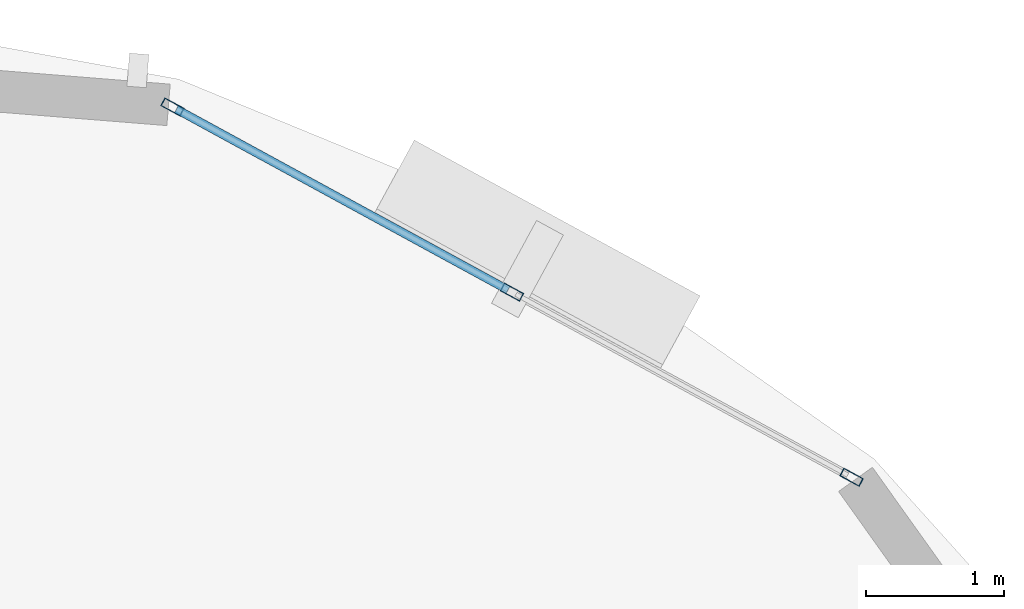
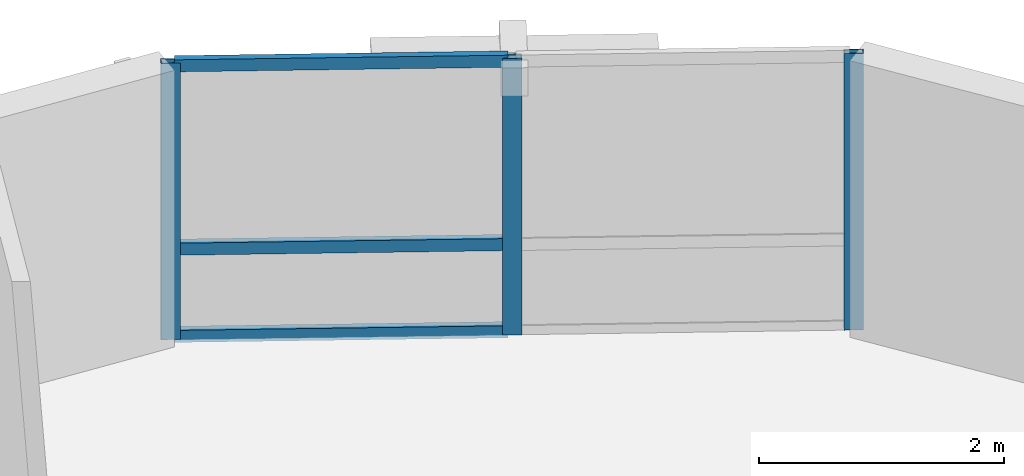
# One storey, part 5 of 11: 6 members, 1 element without a shape of its own.
"""IFC4 building model written with IfcOpenShell, lengths in metres."""

from ifc_helpers import new_model, si_unit, direction, frame, origin, origin_2d, place, context, subcontext, project, spatial, hollow_rectangle, extrude, material, layer, layer_set, material_profile, profile_set, type_object, element, aggregate, save


model = new_model("IFC4")

# Units and contexts
model_context = context("Model", 3, precision=1e-05, world=origin(), true_north=direction((0.0, 1.0)))
body_context = subcontext(model_context, "Body", "Model", "MODEL_VIEW")
ifc_project = project(units=[si_unit("LENGTHUNIT", "METRE"), si_unit("AREAUNIT", "SQUARE_METRE"), si_unit("VOLUMEUNIT", "CUBIC_METRE"), si_unit("PLANEANGLEUNIT", "RADIAN"), si_unit("MASSUNIT", "GRAM", prefix="KILO"), si_unit("THERMODYNAMICTEMPERATUREUNIT", "KELVIN"), si_unit("POWERUNIT", "WATT")], contexts=[model_context])

# Site, building, storey
site_placement = place(None, origin())
site = spatial("IfcSite", under=ifc_project, at=site_placement, CompositionType="ELEMENT")
building_placement = place(site_placement, origin())
building = spatial("IfcBuilding", under=site, at=building_placement, Name="Ocrelia Relay Tower", CompositionType="ELEMENT")
storey_placement = place(building_placement, frame((0.0, 0.0, 234.0)))
storey = spatial("IfcBuildingStorey", under=building, at=storey_placement, Name="L57", CompositionType="ELEMENT", Elevation=234.0)

# Curtain wall, members
ifc_material_1 = material(Name="Aluminium and solar-control low-E glass", Category="aluminium")
ifc_layer = layer(ifc_material_1, 0.179931640625, Name="Aluminium and solar-control low-E glass")
ifc_layer_set = layer_set([ifc_layer], Name="Aluminium and solar-control low-E glass")
curtain_wall_type = type_object("IfcCurtainWallType", Name="CW-SYS-Z4-EXEC", PredefinedType="NOTDEFINED", material=ifc_layer_set)
curtain_wall_placement = place(storey_placement, origin())
curtain_wall = element("IfcCurtainWall", 1, at=curtain_wall_placement, inside=storey, type_object=curtain_wall_type, Name="L57 Elliptical Tower Curtain Wall Bay 01", PredefinedType="NOTDEFINED")
ifc_material_2 = material(Name="Anodised bronze aluminium", Category="aluminium")
ifc_material_profile_1 = material_profile(ifc_material_2, hollow_rectangle(XDim=0.06494140625, YDim=0.159912109375, WallThickness=0.0048828125, at=origin_2d()), Name="CW-MUL-160x65")
ifc_profile_set_1 = profile_set([ifc_material_profile_1], Name="Anodised bronze aluminium")
member_type_1 = type_object("IfcMemberType", Name="CW-SYS-Z4-EXEC-MUL", PredefinedType="MULLION", material=ifc_profile_set_1)
member_1_placement = place(storey_placement, frame((47.900146484375, 41.7314453125, 0.0), z_axis=(0.0, 0.0, 1.0), x_axis=(-0.478668598842, -0.877995656301, 0.0)))
member_1 = element("IfcMember", 2, at=member_1_placement, type_object=member_type_1, Name="CW-Z4 mullion 1", PredefinedType="MULLION", context=body_context, shape_type="SweptSolid", body=[
    extrude(hollow_rectangle(XDim=0.06494140625, YDim=0.159912109375, WallThickness=0.0048828125, at=origin_2d()), origin(), (0.0, 0.0, 1.0), 2.760009765625),
])
member_2_placement = place(storey_placement, frame((45.4482421875, 43.068115234375, 0.0), z_axis=(0.0, 0.0, 1.0), x_axis=(-0.478668598842, -0.877995656301, 0.0)))
member_2 = element("IfcMember", 3, at=member_2_placement, type_object=member_type_1, Name="CW-Z4 mullion 2", PredefinedType="MULLION", context=body_context, shape_type="SweptSolid", body=[
    extrude(hollow_rectangle(XDim=0.06494140625, YDim=0.159912109375, WallThickness=0.0048828125, at=origin_2d()), origin(), (0.0, 0.0, 1.0), 2.760009765625),
])
member_3_placement = place(storey_placement, frame((42.996337890625, 44.405029296875, 0.0), z_axis=(0.0, 0.0, 1.0), x_axis=(-0.478668598842, -0.877995656301, 0.0)))
member_3 = element("IfcMember", 4, at=member_3_placement, type_object=member_type_1, Name="CW-Z4 mullion 3", PredefinedType="MULLION", context=body_context, shape_type="SweptSolid", body=[
    extrude(hollow_rectangle(XDim=0.06494140625, YDim=0.159912109375, WallThickness=0.0048828125, at=origin_2d()), origin(), (0.0, 0.0, 1.0), 2.760009765625),
])
ifc_material_profile_2 = material_profile(ifc_material_2, hollow_rectangle(XDim=0.06005859375, YDim=0.1201171875, WallThickness=0.0048828125, at=origin_2d()), Name="CW-TRN-120x60")
ifc_profile_set_2 = profile_set([ifc_material_profile_2], Name="Anodised bronze aluminium")
member_type_2 = type_object("IfcMemberType", Name="CW-SYS-Z4-EXEC-TRN", PredefinedType="USERDEFINED", material=ifc_profile_set_2)
member_4_placement = place(storey_placement, frame((45.419677734375, 43.083740234375, 0.030029296875), z_axis=(-0.877984495711, 0.478689069534, 0.0), x_axis=(-0.478689069534, -0.877984495711, 0.0)))
member_4 = element("IfcMember", 5, at=member_4_placement, type_object=member_type_2, Name="CW-Z4 transom 2.1", ObjectType="TRANSOM", PredefinedType="USERDEFINED", context=body_context, shape_type="SweptSolid", body=[
    extrude(hollow_rectangle(XDim=0.06005859375, YDim=0.1201171875, WallThickness=0.0048828125, at=origin_2d()), origin(), (0.0, 0.0, 1.0), 2.7275390625),
])
member_5_placement = place(storey_placement, frame((45.419677734375, 43.083740234375, 0.89990234375), z_axis=(-0.877984495711, 0.478689069534, 0.0), x_axis=(-0.478689069534, -0.877984495711, 0.0)))
member_5 = element("IfcMember", 6, at=member_5_placement, type_object=member_type_2, Name="CW-Z4 transom 2.2", ObjectType="TRANSOM", PredefinedType="USERDEFINED", context=body_context, shape_type="SweptSolid", body=[
    extrude(hollow_rectangle(XDim=0.06005859375, YDim=0.1201171875, WallThickness=0.0048828125, at=origin_2d()), origin(), (0.0, 0.0, 1.0), 2.7275390625),
])
member_6_placement = place(storey_placement, frame((45.419677734375, 43.083740234375, 2.72998046875), z_axis=(-0.877984495711, 0.478689069534, 0.0), x_axis=(-0.478689069534, -0.877984495711, 0.0)))
member_6 = element("IfcMember", 7, at=member_6_placement, type_object=member_type_2, Name="CW-Z4 transom 2.3", ObjectType="TRANSOM", PredefinedType="USERDEFINED", context=body_context, shape_type="SweptSolid", body=[
    extrude(hollow_rectangle(XDim=0.06005859375, YDim=0.1201171875, WallThickness=0.0048828125, at=origin_2d()), origin(), (0.0, 0.0, 1.0), 2.7275390625),
])
aggregate(curtain_wall, [member_1, member_2, member_3, member_4, member_5, member_6])

save(model, "model.ifc")
